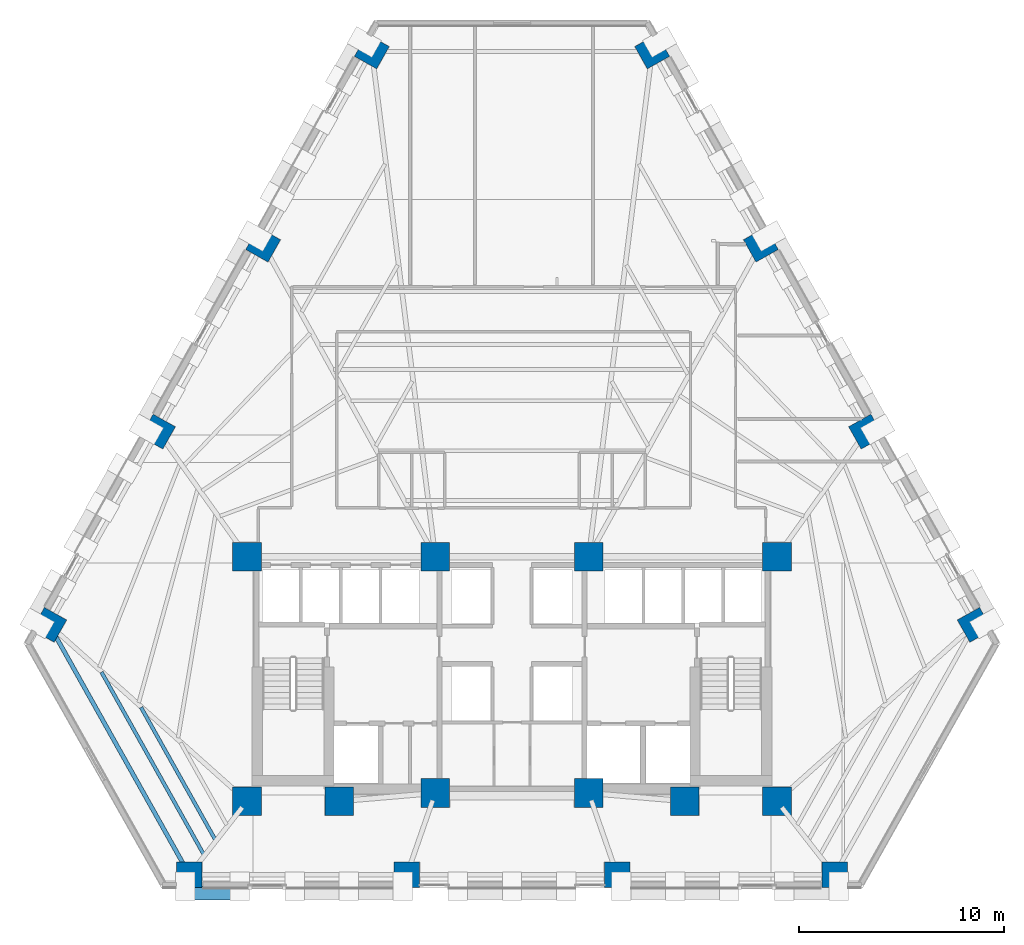
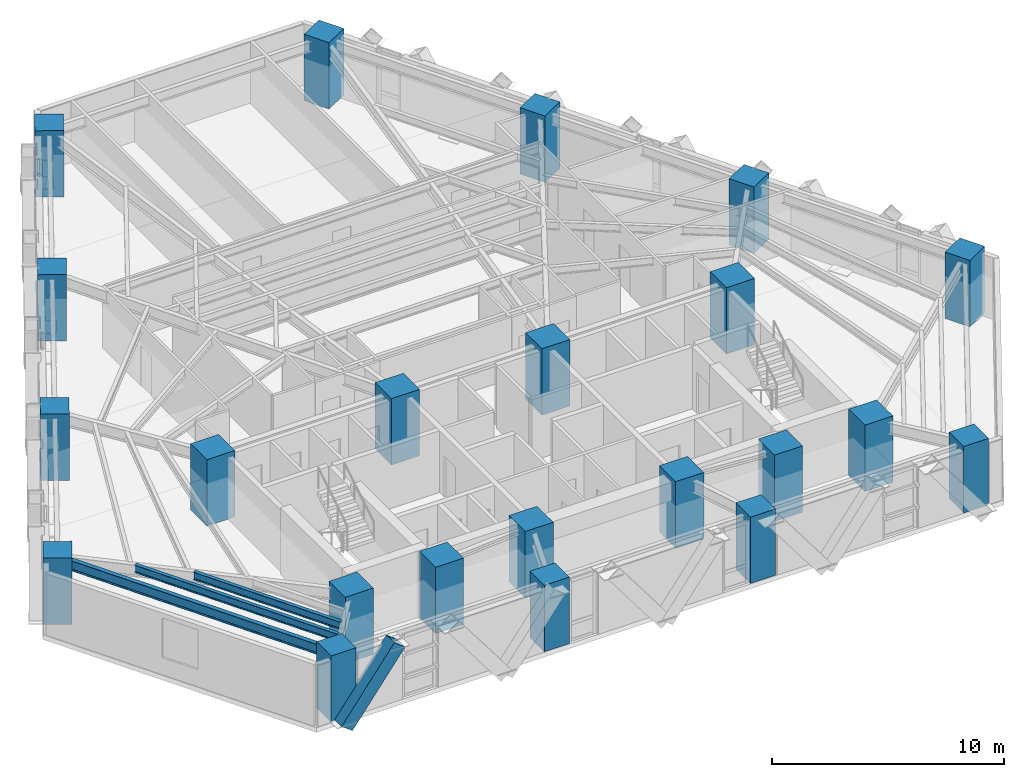
# One storey, part 1 of 13: 22 columns, 3 beams, 1 member.
"""IFC4 building model written with IfcOpenShell, lengths in metres."""

from ifc_helpers import new_model, si_unit, direction, frame, origin, origin_2d, place, context, subcontext, project, spatial, rectangle, hollow_rectangle, i_section, extrude, material, material_profile, profile_set, type_object, element, save


model = new_model("IFC4")

# Units and contexts
model_context = context("Model", 3, precision=1e-05, world=origin(), true_north=direction((0.0, 1.0)))
body_context = subcontext(model_context, "Body", "Model", "MODEL_VIEW")
ifc_project = project(units=[si_unit("LENGTHUNIT", "METRE"), si_unit("AREAUNIT", "SQUARE_METRE"), si_unit("VOLUMEUNIT", "CUBIC_METRE"), si_unit("PLANEANGLEUNIT", "RADIAN"), si_unit("MASSUNIT", "GRAM", prefix="KILO")], contexts=[model_context])

# Site, building, storey
site_placement = place(None, origin())
site = spatial("IfcSite", under=ifc_project, at=site_placement, CompositionType="ELEMENT")
building_placement = place(site_placement, origin())
building = spatial("IfcBuilding", under=site, at=building_placement, Name="Quenlor Broadcast Tower", CompositionType="ELEMENT")
storey_placement = place(building_placement, frame((0.0, 0.0, 38.10009765625)))
storey = spatial("IfcBuildingStorey", under=building, at=storey_placement, Name="L09", CompositionType="ELEMENT", Elevation=38.10009765625)

# Columns
ifc_material_1 = material(Name="Concrete C65/80", Category="concrete")
ifc_material_profile_1 = material_profile(ifc_material_1, rectangle(XDim=1.39990234375, YDim=1.39990234375, at=origin_2d()))
ifc_profile_set_1 = profile_set([ifc_material_profile_1], Name="Concrete C65/80 RC1400x1400")
column_type_1 = type_object("IfcColumnType", Name="Core Corner Column Lower Concrete C65/80 1400", PredefinedType="COLUMN", material=ifc_profile_set_1)
for number, where, z_axis, x_axis, name in (
    (1, (-12.949951171875, -16.75, 0.0), (0.0, 0.0, 1.0), (1.0, 0.0, 0.0), "L09 Core Column CC1"),
    (2, (-8.449951171875, -16.75, 0.0), (0.0, 0.0, 1.0), (1.0, 0.0, 0.0), "L09 Core Column CC2"),
    (3, (-3.75, -16.35009765625, 0.0), (0.0, 0.0, 1.0), (1.0, 0.0, 0.0), "L09 Core Column CC3"),
    (4, (3.75, -16.35009765625, 0.0), (0.0, 0.0, 1.0), (1.0, 0.0, 0.0), "L09 Core Column CC4"),
    (5, (8.449951171875, -16.75, 0.0), (0.0, 0.0, 1.0), (1.0, 0.0, 0.0), "L09 Core Column CC5"),
    (6, (12.949951171875, -16.75, 0.0), (0.0, 0.0, 1.0), (1.0, 0.0, 0.0), "L09 Core Column CC6"),
    (7, (-12.949951171875, -4.800048828125, 0.0), (0.0, 0.0, 1.0), (1.0, 0.0, 0.0), "L09 Core Column CC7"),
    (8, (-3.75, -4.800048828125, 0.0), (0.0, 0.0, 1.0), (1.0, 0.0, 0.0), "L09 Core Column CC8"),
    (9, (3.75, -4.800048828125, 0.0), (0.0, 0.0, 1.0), (1.0, 0.0, 0.0), "L09 Core Column CC9"),
    (10, (12.949951171875, -4.800048828125, 0.0), (0.0, 0.0, 1.0), (1.0, 0.0, 0.0), "L09 Core Column CC10"),
):
    element("IfcColumn", number, at=place(storey_placement, frame(where, z_axis=z_axis, x_axis=x_axis)), inside=storey, type_object=column_type_1, Name=name, PredefinedType="COLUMN", context=body_context, shape_type="SweptSolid", body=[
        extrude(rectangle(XDim=1.39990234375, YDim=1.39990234375, at=origin_2d()), origin(), (0.0, 0.0, 1.0), 3.5),
    ])
ifc_material_2 = material(Name="Concrete C65/80", Category="concrete")
ifc_material_profile_2 = material_profile(ifc_material_2, rectangle(XDim=1.25, YDim=1.25, at=origin_2d()))
ifc_profile_set_2 = profile_set([ifc_material_profile_2], Name="Concrete C65/80 RC1250x1250")
column_type_2 = type_object("IfcColumnType", Name="Tower Perimeter Column Z1 Concrete C65/80 1250", PredefinedType="COLUMN", material=ifc_profile_set_2)
for number, where, z_axis, x_axis, name in (
    (11, (-15.76513671875, -20.35009765625, 0.0), (0.0, 0.0, 1.0), (0.0, 1.0, 0.0), "L09 Perimeter Column S1"),
    (12, (-5.140869140625, -20.35009765625, 0.0), (0.0, 0.0, 1.0), (0.0, 1.0, 0.0), "L09 Perimeter Column S2"),
    (13, (5.140869140625, -20.35009765625, 0.0), (0.0, 0.0, 1.0), (0.0, 1.0, 0.0), "L09 Perimeter Column S3"),
    (14, (15.76513671875, -20.35009765625, 0.0), (0.0, 0.0, 1.0), (0.0, 1.0, 0.0), "L09 Perimeter Column S4"),
    (15, (22.6162109375, -8.132080078125, 0.0), (0.0, 0.0, 1.0), (0.871575139605, 0.490261946333, 0.0), "L09 Perimeter Column NE1"),
    (16, (17.303955078125, 1.311767578125, 0.0), (0.0, 0.0, 1.0), (0.871575139605, 0.490261946333, 0.0), "L09 Perimeter Column NE2"),
    (17, (12.1630859375, 10.450927734375, 0.0), (0.0, 0.0, 1.0), (0.871575139605, 0.490261946333, 0.0), "L09 Perimeter Column NE3"),
    (18, (6.850830078125, 19.894775390625, 0.0), (0.0, 0.0, 1.0), (0.871575139605, 0.490261946333, 0.0), "L09 Perimeter Column NE4"),
    (19, (-6.850830078125, 19.894775390625, 0.0), (0.0, 0.0, 1.0), (-0.871575139605, 0.490261946333, 0.0), "L09 Perimeter Column NW1"),
    (20, (-12.1630859375, 10.450927734375, 0.0), (0.0, 0.0, 1.0), (-0.871575139605, 0.490261946333, 0.0), "L09 Perimeter Column NW2"),
    (21, (-17.303955078125, 1.311767578125, 0.0), (0.0, 0.0, 1.0), (-0.871575139605, 0.490261946333, 0.0), "L09 Perimeter Column NW3"),
    (22, (-22.6162109375, -8.132080078125, 0.0), (0.0, 0.0, 1.0), (-0.871575139605, 0.490261946333, 0.0), "L09 Perimeter Column NW4"),
):
    element("IfcColumn", number, at=place(storey_placement, frame(where, z_axis=z_axis, x_axis=x_axis)), inside=storey, type_object=column_type_2, Name=name, PredefinedType="COLUMN", context=body_context, shape_type="SweptSolid", body=[
        extrude(rectangle(XDim=1.25, YDim=1.25, at=origin_2d()), origin(), (0.0, 0.0, 1.0), 3.5),
    ])

# Member
ifc_material_3 = material(Name="Steel S355", Category="steel")
ifc_material_profile_3 = material_profile(ifc_material_3, hollow_rectangle(XDim=0.679931640625, YDim=0.679931640625, WallThickness=0.034912109375, at=origin_2d()))
ifc_profile_set_3 = profile_set([ifc_material_profile_3], Name="Steel S355 RHS680x680x35")
member_type = type_object("IfcMemberType", Name="Perimeter Diagonal Lattice Brace Z1 Steel S355 RHS680x35", PredefinedType="BRACE", material=ifc_profile_set_3)
member_placement = place(storey_placement, frame((-15.945068359375, -21.235107421875, -0.1201171875), z_axis=(0.600463982679, 0.0, 0.799651802665), x_axis=(0.0, 1.0, 0.0)))
element("IfcMember", 23, at=member_placement, inside=storey, type_object=member_type, Name="L09 Perimeter Diamond Lattice S-C4B", PredefinedType="BRACE", context=body_context, shape_type="SweptSolid", body=[
    extrude(hollow_rectangle(XDim=0.679931640625, YDim=0.679931640625, WallThickness=0.034912109375, at=origin_2d()), origin(), (0.0, 0.0, 1.0), 4.376953125),
])

# Beams
ifc_material_4 = material(Name="Steel S355", Category="steel")
ifc_material_profile_4 = material_profile(ifc_material_4, i_section(OverallWidth=0.208984375, OverallDepth=0.532958984375, WebThickness=0.01025390625, FlangeThickness=0.015625, FilletRadius=0.013916015625, at=origin_2d()))
ifc_profile_set_4 = profile_set([ifc_material_profile_4], Name="Steel S355 530UB92.4")
beam_type_1 = type_object("IfcBeamType", Name="Perimeter Spandrel Beam Z1 Steel S355 530UB92.4", PredefinedType="SPANDREL", material=ifc_profile_set_4)
beam_1_placement = place(storey_placement, frame((-22.41552734375, -8.48974609375, 2.9833984375), z_axis=(0.489090917871, -0.87223280955, 0.0), x_axis=(0.87223280955, 0.489090917871, 0.0)))
element("IfcBeam", 24, at=beam_1_placement, inside=storey, type_object=beam_type_1, Name="L09 Spandrel Beam NW4-S1", PredefinedType="SPANDREL", context=body_context, shape_type="SweptSolid", body=[
    extrude(i_section(OverallWidth=0.208984375, OverallDepth=0.532958984375, WebThickness=0.01025390625, FlangeThickness=0.015625, FilletRadius=0.013916015625, at=origin_2d()), origin(), (0.0, 0.0, 1.0), 13.187744140625),
])
ifc_material_5 = material(Name="Steel S355", Category="steel")
ifc_material_profile_5 = material_profile(ifc_material_5, i_section(OverallWidth=0.177978515625, OverallDepth=0.406494140625, WebThickness=0.0078125, FlangeThickness=0.0126953125, FilletRadius=0.011474609375, at=origin_2d()))
ifc_profile_set_5 = profile_set([ifc_material_profile_5], Name="Steel S355 410UB59.7")
beam_type_2 = type_object("IfcBeamType", Name="Tower Composite Joist Z1 Steel S355 410UB59.7", PredefinedType="JOIST", material=ifc_profile_set_5)
beam_2_placement = place(storey_placement, frame((-14.50927734375, -18.624267578125, 3.046630859375), z_axis=(-0.489088249322, 0.872234305892, 0.0), x_axis=(-0.872234305892, -0.489088249322, 0.0)))
element("IfcBeam", 25, at=beam_2_placement, inside=storey, type_object=beam_type_2, Name="L09 Secondary Composite Joist 20", PredefinedType="JOIST", context=body_context, shape_type="SweptSolid", body=[
    extrude(i_section(OverallWidth=0.177978515625, OverallDepth=0.406494140625, WebThickness=0.0078125, FlangeThickness=0.0126953125, FilletRadius=0.011474609375, at=origin_2d()), origin(), (0.0, 0.0, 1.0), 7.404296875),
])
beam_3_placement = place(storey_placement, frame((-15.072265625, -19.34423828125, 3.046630859375), z_axis=(-0.489081877778, 0.872237878579, 0.0), x_axis=(-0.872237878579, -0.489081877778, 0.0)))
element("IfcBeam", 26, at=beam_3_placement, inside=storey, type_object=beam_type_2, Name="L09 Secondary Composite Joist 21", PredefinedType="JOIST", context=body_context, shape_type="SweptSolid", body=[
    extrude(i_section(OverallWidth=0.177978515625, OverallDepth=0.406494140625, WebThickness=0.0078125, FlangeThickness=0.0126953125, FilletRadius=0.011474609375, at=origin_2d()), origin(), (0.0, 0.0, 1.0), 10.205810546875),
])

save(model, "model.ifc")
